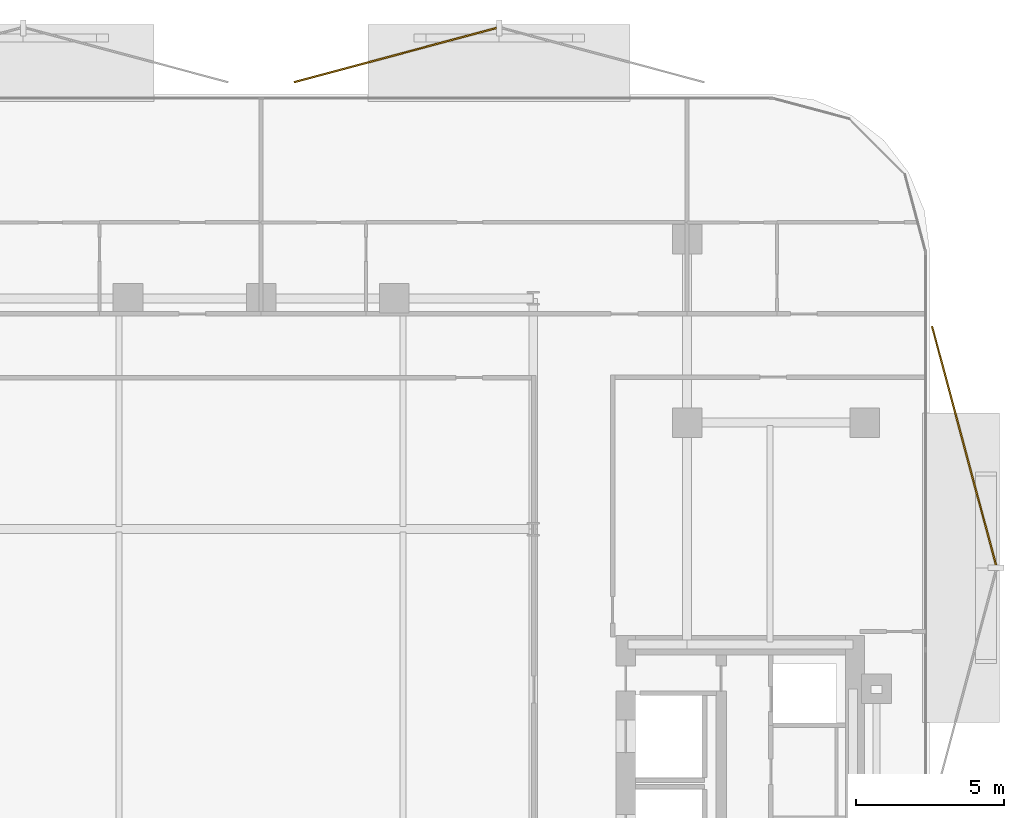
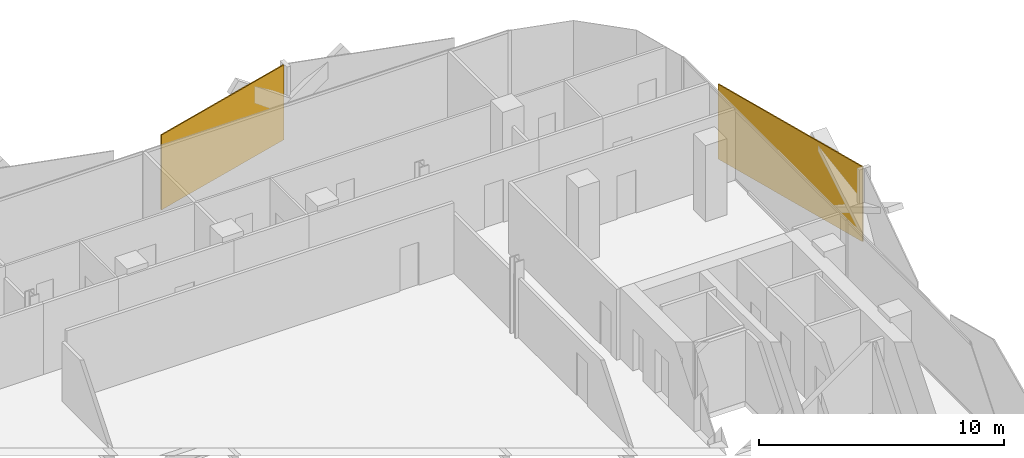
# One storey, part 17 of 17: 2 coverings.
"""IFC4 building model written with IfcOpenShell, lengths in metres."""

import ifcopenshell
import ifcopenshell.guid

model = None  # the IFC model being written
_history = None  # IfcOwnerHistory: only IFC2X3 demands one
_inside = {}  # id of a spatial element -> (the spatial element, [elements in it])
_under = {}  # id of a project, library or spatial element -> (it, [spatial elements below it])
_declared = {}  # id of a project -> (the project, [libraries it declares])
_typed = {}  # id of a type object -> (the type object, [elements of that type])
_made_of = {}  # id of a material, layer set ... -> (it, [elements and type objects made of it])


def new_model(schema):
    """Start an empty IFC model of exactly this schema.

    Asked for "IFC4X3", IfcOpenShell would pick the latest addendum, in which some entities
    have other attributes; the version numbers below select the first issue.
    IFC2X3 requires an IfcOwnerHistory on every rooted entity: one is made here for all.
    """
    global model, _history
    if schema == "IFC4X3":
        model = ifcopenshell.file(schema_version=(4, 3, 0, 0))
    else:
        model = ifcopenshell.file(schema=schema)
    _inside.clear()
    _under.clear()
    _declared.clear()
    _typed.clear()
    _made_of.clear()
    _history = None
    if model.schema == "IFC2X3":
        org = make("IfcOrganization", Name="unknown")
        user = make(
            "IfcPersonAndOrganization",
            ThePerson=make("IfcPerson", FamilyName="unknown"),
            TheOrganization=org,
        )
        app = make(
            "IfcApplication",
            ApplicationDeveloper=org,
            Version="unknown",
            ApplicationFullName="unknown",
            ApplicationIdentifier="unknown",
        )
        _history = make(
            "IfcOwnerHistory",
            OwningUser=user,
            OwningApplication=app,
            ChangeAction="ADDED",
            CreationDate=0,
        )
    return model


def make(cls, **values):
    """One entity of the class cls with the attributes given. An attribute that is None is left unset."""
    return model.create_entity(
        cls, **{name: value for name, value in values.items() if value is not None}
    )


def rooted(cls, **values):
    """An entity with a GlobalId (a new one), such as an element, a storey or a relation."""
    return make(cls, GlobalId=ifcopenshell.guid.new(), OwnerHistory=_history, **values)


def si_unit(unit_type, name, prefix=None):
    """IfcSIUnit, for example si_unit("LENGTHUNIT", "METRE", prefix="MILLI")."""
    return make("IfcSIUnit", UnitType=unit_type, Prefix=prefix, Name=name)


def assignment(units):
    """IfcUnitAssignment: the units of a project."""
    return None if units is None else make("IfcUnitAssignment", Units=units)


def point(xyz):
    """IfcCartesianPoint."""
    return None if xyz is None else make("IfcCartesianPoint", Coordinates=xyz)


def direction(xyz):
    """IfcDirection."""
    return None if xyz is None else make("IfcDirection", DirectionRatios=xyz)


def frame(location, z_axis=None, x_axis=None):
    """IfcAxis2Placement3D, a coordinate frame: its origin and axes. An axis left out is left unset."""
    return make(
        "IfcAxis2Placement3D",
        Location=point(location),
        Axis=direction(z_axis),
        RefDirection=direction(x_axis),
    )


def frame_2d(location, x_axis=None):
    """IfcAxis2Placement2D, a coordinate frame in the plane: its origin and x axis."""
    return make(
        "IfcAxis2Placement2D", Location=point(location), RefDirection=direction(x_axis)
    )


def origin():
    """The frame at (0, 0, 0) with its axes left unset."""
    return frame((0.0, 0.0, 0.0))


def origin_2d():
    """The frame at (0, 0) in the plane with its x axis left unset."""
    return frame_2d((0.0, 0.0))


def place(relative_to, where):
    """IfcLocalPlacement: puts the frame where relative to a parent placement (None: the world)."""
    return make(
        "IfcLocalPlacement", PlacementRelTo=relative_to, RelativePlacement=where
    )


def context(
    kind, dimensions, precision=None, world=None, true_north=None, identifier=None
):
    """IfcGeometricRepresentationContext, for example the 3D "Model" context."""
    return make(
        "IfcGeometricRepresentationContext",
        ContextIdentifier=identifier,
        ContextType=kind,
        CoordinateSpaceDimension=dimensions,
        Precision=precision,
        WorldCoordinateSystem=world,
        TrueNorth=true_north,
    )


def subcontext(parent, identifier, kind, view, scale=None):
    """IfcGeometricRepresentationSubContext, for example "Body" below "Model"."""
    return make(
        "IfcGeometricRepresentationSubContext",
        ContextIdentifier=identifier,
        ContextType=kind,
        ParentContext=parent,
        TargetScale=scale,
        TargetView=view,
    )


def project(units=None, contexts=None):
    """IfcProject with its units and contexts."""
    return rooted(
        "IfcProject",
        Name="project",
        RepresentationContexts=contexts,
        UnitsInContext=assignment(units),
    )


def spatial(cls, under=None, at=None, **own):
    """A site, building, storey or space (cls), placed at a placement, below another one or the project."""
    s = rooted(cls, ObjectPlacement=at, **own)
    if under is not None:
        _under.setdefault(under.id(), (under, []))[1].append(s)
    return s


def profile(cls, at=None, kind="AREA", **sizes):
    """A parametric profile (cls). Its sizes go by their IFC names, for example OverallWidth=200.0."""
    return make(cls, ProfileType=kind, Position=at, **sizes)


def rectangle(**sizes):
    """IfcRectangleProfileDef."""
    return profile("IfcRectangleProfileDef", **sizes)


def extrude(swept, where, along, depth):
    """IfcExtrudedAreaSolid: the profile swept, set in the frame where, extruded along a direction by depth."""
    return make(
        "IfcExtrudedAreaSolid",
        SweptArea=swept,
        Position=where,
        ExtrudedDirection=direction(along),
        Depth=depth,
    )


def shape(context_of_items, identifier, shape_type, items):
    """IfcShapeRepresentation: the items that make up one representation, for example the "Body"."""
    return make(
        "IfcShapeRepresentation",
        ContextOfItems=context_of_items,
        RepresentationIdentifier=identifier,
        RepresentationType=shape_type,
        Items=items,
    )


def material(Name=None, Category=None):
    """IfcMaterial."""
    return make("IfcMaterial", Name=Name, Category=Category)


def layer(
    of_material, thickness, ventilated=None, Name=None, Category=None, Priority=None
):
    """IfcMaterialLayer: one layer of a wall or slab, of a material (None: an air gap)."""
    return make(
        "IfcMaterialLayer",
        Material=of_material,
        LayerThickness=thickness,
        IsVentilated=ventilated,
        Name=Name,
        Category=Category,
        Priority=Priority,
    )


def layer_set(layers, Name=None):
    """IfcMaterialLayerSet."""
    return make("IfcMaterialLayerSet", MaterialLayers=layers, LayerSetName=Name)


def made_of(thing, what):
    """Note that an element or type object is made of a material, layer set ...; save() writes the relation."""
    if what is not None:
        _made_of.setdefault(what.id(), (what, []))[1].append(thing)
    return thing


def type_object(cls, material=None, **own):
    """A type object (cls), such as IfcWallType, which elements share."""
    return made_of(rooted(cls, **own), material)


def element(
    cls,
    number,
    at=None,
    inside=None,
    cuts=None,
    type_object=None,
    material=None,
    context=None,
    identifier="Body",
    shape_type=None,
    held_by="IfcProductDefinitionShape",
    body=None,
    shapes=None,
    **own,
):
    """One element of the class cls, such as IfcWall. Its Tag is "e" and its number.

    at: its placement. inside: the storey or other place that contains it. cuts: it is an
    opening in that element (IfcRelVoidsElement). A single representation is given by context,
    identifier, shape_type and body (its items); several are given by shapes. held_by: the class
    of the entity that holds the representations. save() writes the other relations.
    """
    e = rooted(cls, Tag="e%d" % number, ObjectPlacement=at, **own)
    if body is not None:
        shapes = [shape(context, identifier, shape_type, body)]
    if shapes is not None:
        e.Representation = make(held_by, Representations=shapes)
    if inside is not None:
        _inside.setdefault(inside.id(), (inside, []))[1].append(e)
    if cuts is not None:
        rooted(
            "IfcRelVoidsElement", RelatingBuildingElement=cuts, RelatedOpeningElement=e
        )
    if type_object is not None:
        _typed.setdefault(type_object.id(), (type_object, []))[1].append(e)
    return made_of(e, material)


def aggregate(whole, parts):
    """IfcRelAggregates: a whole, such as a stair, and the parts it consists of."""
    return rooted("IfcRelAggregates", RelatingObject=whole, RelatedObjects=parts)


def save(model, path):
    """Write the relations noted so far, then the file.

    IfcRelAggregates (storeys below a building ...), IfcRelContainedInSpatialStructure (elements
    in a storey), IfcRelDefinesByType, IfcRelAssociatesMaterial and IfcRelDeclares: one each for
    every whole, place, type object, material and project.
    """
    for whole, parts in _under.values():
        aggregate(whole, parts)
    for where, things in _inside.values():
        rooted(
            "IfcRelContainedInSpatialStructure",
            RelatedElements=things,
            RelatingStructure=where,
        )
    for kind, things in _typed.values():
        rooted("IfcRelDefinesByType", RelatedObjects=things, RelatingType=kind)
    for what, things in _made_of.values():
        rooted("IfcRelAssociatesMaterial", RelatedObjects=things, RelatingMaterial=what)
    for by, libraries in _declared.values():
        rooted("IfcRelDeclares", RelatingContext=by, RelatedDefinitions=libraries)
    model.write(path)


model = new_model("IFC4")

# Units and contexts
model_context = context("Model", 3, precision=1e-05, world=origin(), true_north=direction((0.0, 1.0)))
body_context = subcontext(model_context, "Body", "Model", "MODEL_VIEW")
ifc_project = project(units=[si_unit("LENGTHUNIT", "METRE"), si_unit("AREAUNIT", "SQUARE_METRE"), si_unit("VOLUMEUNIT", "CUBIC_METRE"), si_unit("PLANEANGLEUNIT", "RADIAN"), si_unit("MASSUNIT", "GRAM", prefix="KILO")], contexts=[model_context])

# Site, building, storey
site_placement = place(None, origin())
site = spatial("IfcSite", under=ifc_project, at=site_placement, CompositionType="ELEMENT")
building_placement = place(site_placement, origin())
building = spatial("IfcBuilding", under=site, at=building_placement, Name="Khairoan Windgate Tower", CompositionType="ELEMENT")
storey_placement = place(building_placement, frame((0.0, 0.0, 199.199951171875)))
storey = spatial("IfcBuildingStorey", under=building, at=storey_placement, Name="L46", CompositionType="ELEMENT", Elevation=199.199951171875)

# Coverings
ifc_material = material(Name="Anodised Bronze Aluminium 6063-T6", Category="aluminium")
ifc_layer = layer(ifc_material, 0.054931640625, Name="Anodised Bronze Aluminium 6063-T6")
ifc_layer_set = layer_set([ifc_layer], Name="Anodised Bronze Aluminium 6063-T6")
covering_type = type_object("IfcCoveringType", Name="Perforated Bronze-Ceramic Folded Solar Screen Cladding BSC-1", PredefinedType="CLADDING", material=ifc_layer_set)
covering_1_placement = place(storey_placement, frame((4.535888671875, 26.82373046875, -0.10009765625), z_axis=(0.0, 0.0, 1.0), x_axis=(0.965925826289, 0.258819045103, 0.0)))
element("IfcCovering", 1, at=covering_1_placement, inside=storey, type_object=covering_type, Name="L46 Folded Bronze Solar Screen Facet 310L", PredefinedType="CLADDING", context=body_context, shape_type="SweptSolid", body=[
    extrude(rectangle(XDim=7.080078125, YDim=0.054931640625, at=origin_2d()), origin(), (0.0, 0.0, 1.0), 3.739990234375),
])
covering_2_placement = place(storey_placement, frame((23.7587890625, 13.62109375, -0.10009765625), z_axis=(0.0, 0.0, 1.0), x_axis=(0.258819045103, -0.965925826289, 0.0)))
element("IfcCovering", 2, at=covering_2_placement, inside=storey, type_object=covering_type, Name="L46 Folded Bronze Solar Screen Facet 311L", PredefinedType="CLADDING", context=body_context, shape_type="SweptSolid", body=[
    extrude(rectangle(XDim=8.35595703125, YDim=0.054931640625, at=origin_2d()), origin(), (0.0, 0.0, 1.0), 3.739990234375),
])

save(model, "model.ifc")
